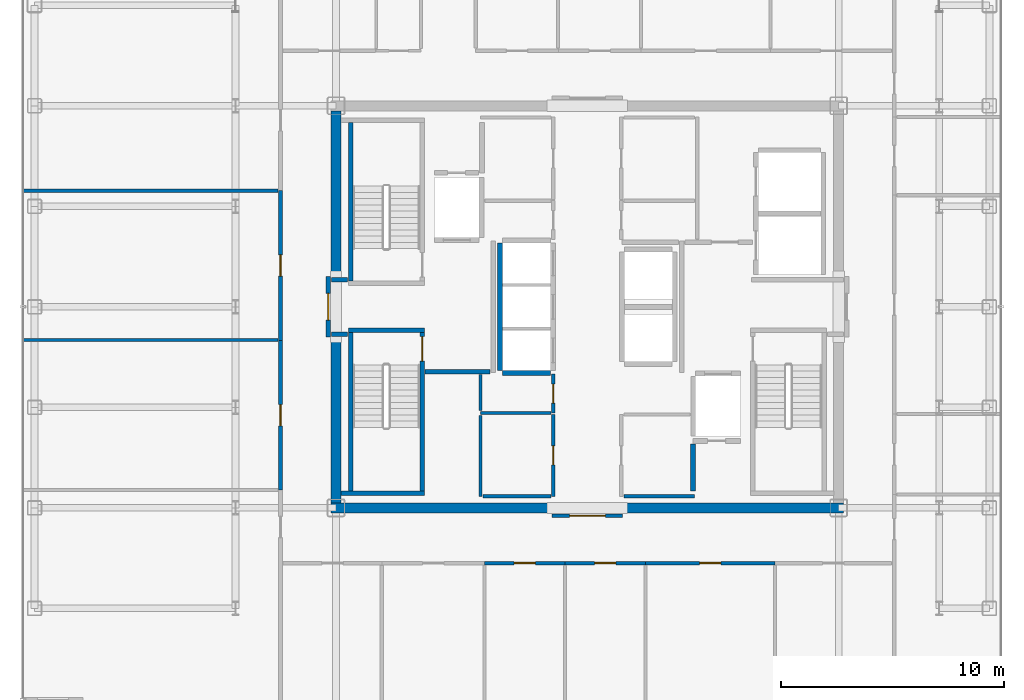
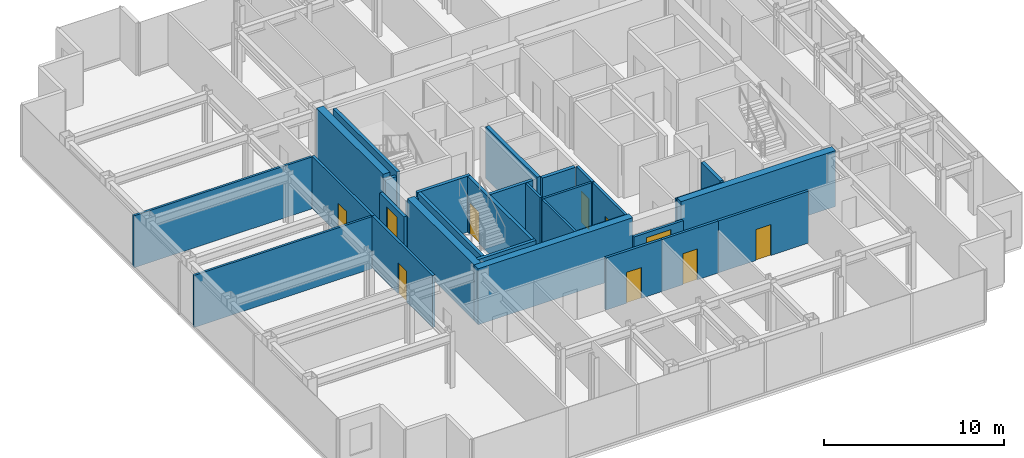
# One storey, part 13 of 18: 31 walls, 10 doors, 10 openings.
"""IFC4 building model written with IfcOpenShell, lengths in metres."""

from ifc_helpers import new_model, si_unit, direction, frame, frame_2d, origin, place, context, subcontext, project, spatial, rectangle, extrude, source, transform, mapped, material, layer, layer_set, type_object, element, fill, save


model = new_model("IFC4")

# Units and contexts
model_context = context("Model", 3, precision=1e-05, world=origin(), true_north=direction((0.0, 1.0)))
body_context = subcontext(model_context, "Body", "Model", "MODEL_VIEW")
ifc_project = project(units=[si_unit("LENGTHUNIT", "METRE"), si_unit("AREAUNIT", "SQUARE_METRE"), si_unit("VOLUMEUNIT", "CUBIC_METRE"), si_unit("PLANEANGLEUNIT", "RADIAN"), si_unit("MASSUNIT", "GRAM", prefix="KILO")], contexts=[model_context])

# Site, building, storey
site_placement = place(None, origin())
site = spatial("IfcSite", under=ifc_project, at=site_placement, CompositionType="ELEMENT")
building_placement = place(site_placement, origin())
building = spatial("IfcBuilding", under=site, at=building_placement, Name="Nefas-Gora Pilgrimage Tower", CompositionType="ELEMENT")
storey_placement = place(building_placement, frame((0.0, 0.0, 268.39990234375)))
storey = spatial("IfcBuildingStorey", under=building, at=storey_placement, Name="L67", CompositionType="ELEMENT", Elevation=268.39990234375)

# Walls
ifc_material_1 = material(Name="Concrete C50/60", Category="concrete")
ifc_layer_1 = layer(ifc_material_1, 0.449951171875)
ifc_layer_set_1 = layer_set([ifc_layer_1], Name="Concrete C50/60")
wall_type_1 = type_object("IfcWallType", Name="SW-CORE-450", PredefinedType="SHEAR", material=ifc_layer_set_1)
shared_shape_1 = source(origin(), body_context, "Body", "SweptSolid", [
    extrude(rectangle(XDim=9.925048828125, YDim=0.449951171875, at=frame_2d((4.96240234375, 0.0))), origin(), (0.0, 0.0, 1.0), 3.800048828125),
])
for number, where, z_axis, x_axis, name in (
    (1, (-11.47509765625, -9.0, 0.0), (0.0, 0.0, 1.0), (1.0, 0.0, 0.0), "L67 Core Shear Wall S-West"),
    (2, (1.550048828125, -9.0, 0.0), (0.0, 0.0, 1.0), (1.0, 0.0, 0.0), "L67 Core Shear Wall S-East"),
):
    element("IfcWall", number, at=place(storey_placement, frame(where, z_axis=z_axis, x_axis=x_axis)), inside=storey, type_object=wall_type_1, Name=name, PredefinedType="SHEAR", context=body_context, shape_type="MappedRepresentation", body=[
        mapped(shared_shape_1, transform((0.0, 0.0, 0.0), x_axis=(1.0, 0.0, 0.0), y_axis=(0.0, 1.0, 0.0), z_axis=(0.0, 0.0, 1.0), scale=1.0)),
    ])
shared_shape_2 = source(origin(), body_context, "Body", "SweptSolid", [
    extrude(rectangle(XDim=7.4248046875, YDim=0.449951171875, at=frame_2d((3.71240234375, 0.0))), origin(), (0.0, 0.0, 1.0), 3.800048828125),
])
for number, where, z_axis, x_axis, name in (
    (3, (-11.25, -8.77490234375, 0.0), (0.0, 0.0, 1.0), (0.0, 1.0, 0.0), "L67 Core Shear Wall W-South"),
    (4, (-11.25, 1.35009765625, 0.0), (0.0, 0.0, 1.0), (0.0, 1.0, 0.0), "L67 Core Shear Wall W-North"),
):
    element("IfcWall", number, at=place(storey_placement, frame(where, z_axis=z_axis, x_axis=x_axis)), inside=storey, type_object=wall_type_1, Name=name, PredefinedType="SHEAR", context=body_context, shape_type="MappedRepresentation", body=[
        mapped(shared_shape_2, transform((0.0, 0.0, 0.0), x_axis=(1.0, 0.0, 0.0), y_axis=(0.0, 1.0, 0.0), z_axis=(0.0, 0.0, 1.0), scale=1.0)),
    ])
ifc_material_2 = material(Name="Concrete C45/55", Category="concrete")
ifc_layer_2 = layer(ifc_material_2, 0.199951171875)
ifc_layer_set_2 = layer_set([ifc_layer_2], Name="Concrete C45/55")
wall_type_2 = type_object("IfcWallType", Name="IW-STAIR-200", PredefinedType="SOLIDWALL", material=ifc_layer_set_2)
shared_shape_3 = source(origin(), body_context, "Body", "SweptSolid", [
    extrude(rectangle(XDim=3.39990234375, YDim=0.199951171875, at=frame_2d((1.699951171875, 0.0))), origin(), (0.0, 0.0, 1.0), 3.800048828125),
])
wall_1_placement = place(storey_placement, frame((-10.699951171875, -1.050048828125, 0.0), z_axis=(0.0, 0.0, 1.0), x_axis=(1.0, 0.0, 0.0)))
element("IfcWall", 5, at=wall_1_placement, inside=storey, type_object=wall_type_2, Name="L67 Stairwell Shear Wall ST-03-near", PredefinedType="SOLIDWALL", context=body_context, shape_type="MappedRepresentation", body=[
    mapped(shared_shape_3, transform((0.0, 0.0, 0.0), x_axis=(1.0, 0.0, 0.0), y_axis=(0.0, 1.0, 0.0), z_axis=(0.0, 0.0, 1.0), scale=1.0)),
])
shared_shape_4 = source(origin(), body_context, "Body", "SweptSolid", [
    extrude(rectangle(XDim=7.10009765625, YDim=0.199951171875, at=frame_2d((3.550048828125, 0.0))), origin(), (0.0, 0.0, 1.0), 3.800048828125),
])
for number, where, z_axis, x_axis, name in (
    (6, (-10.60009765625, 1.14990234375, 0.0), (0.0, 0.0, 1.0), (0.0, 1.0, 0.0), "L67 Stairwell Shear Wall ST-01-right"),
    (7, (-10.60009765625, -1.14990234375, 0.0), (0.0, 0.0, 1.0), (0.0, -1.0, 0.0), "L67 Stairwell Shear Wall ST-03-left"),
):
    element("IfcWall", number, at=place(storey_placement, frame(where, z_axis=z_axis, x_axis=x_axis)), inside=storey, type_object=wall_type_2, Name=name, PredefinedType="SOLIDWALL", context=body_context, shape_type="MappedRepresentation", body=[
        mapped(shared_shape_4, transform((0.0, 0.0, 0.0), x_axis=(1.0, 0.0, 0.0), y_axis=(0.0, 1.0, 0.0), z_axis=(0.0, 0.0, 1.0), scale=1.0)),
    ])

# Wall, opening, door
wall_2_placement = place(storey_placement, frame((-7.39990234375, -1.14990234375, 0.0), z_axis=(0.0, 0.0, 1.0), x_axis=(0.0, -1.0, 0.0)))
wall_2 = element("IfcWall", 8, at=wall_2_placement, inside=storey, type_object=wall_type_2, Name="L67 Stairwell Shear Wall ST-03-right", PredefinedType="SOLIDWALL", context=body_context, shape_type="MappedRepresentation", body=[
    mapped(shared_shape_4, transform((0.0, 0.0, 0.0), x_axis=(1.0, 0.0, 0.0), y_axis=(0.0, 1.0, 0.0), z_axis=(0.0, 0.0, 1.0), scale=1.0)),
])
opening_1_placement = place(wall_2_placement, frame((0.179931640625, 0.0, 0.0)))
opening_1 = element("IfcOpeningElement", 9, at=opening_1_placement, cuts=wall_2, Name="Opening ID-ST1", PredefinedType="OPENING", context=body_context, shape_type="SweptSolid", body=[
    extrude(rectangle(XDim=1.10009765625, YDim=2.14990234375, at=frame_2d((0.550048828125, 1.074951171875))), frame((0.0, 0.10986328125, 0.0), z_axis=(0.0, -1.0, 0.0), x_axis=(1.0, 0.0, 0.0)), (0.0, 0.0, 1.0), 0.219970703125),
])
ifc_material_3 = material(Name="Painted galvanised steel fire stair door", Category="steel")
door_type_1 = type_object("IfcDoorType", Name="DR-INT-STAIR-1100", OperationType="NOTDEFINED", PredefinedType="DOOR", material=ifc_material_3)
shared_shape_5 = source(origin(), body_context, "Body", "SweptSolid", [
    extrude(rectangle(XDim=1.10009765625, YDim=2.14990234375, at=frame_2d((0.550048828125, 1.074951171875))), frame((0.0, 0.02490234375, 0.0), z_axis=(0.0, -1.0, 0.0), x_axis=(1.0, 0.0, 0.0)), (0.0, 0.0, 1.0), 0.050048828125),
])
door_1_placement = place(opening_1_placement, origin())
door_1 = element("IfcDoor", 10, at=door_1_placement, inside=storey, type_object=door_type_1, Name="L67 Protected Exit Stair Door ST-03", OperationType="SINGLE_SWING_LEFT", OverallHeight=2.14990234375, OverallWidth=1.10009765625, PredefinedType="DOOR", context=body_context, shape_type="MappedRepresentation", body=[
    mapped(shared_shape_5, transform((0.0, 0.0, 0.0), x_axis=(1.0, 0.0, 0.0), y_axis=(0.0, 1.0, 0.0), z_axis=(0.0, 0.0, 1.0), scale=1.0)),
])
fill(opening_1, door_1)

# Walls
shared_shape_6 = source(origin(), body_context, "Body", "SweptSolid", [
    extrude(rectangle(XDim=3.72998046875, YDim=0.199951171875, at=frame_2d((1.864990234375, 0.0))), origin(), (0.0, 0.0, 1.0), 3.800048828125),
])
wall_3_placement = place(storey_placement, frame((-11.030029296875, -8.35009765625, 0.0), z_axis=(0.0, 0.0, 1.0), x_axis=(1.0, 0.0, 0.0)))
element("IfcWall", 11, at=wall_3_placement, inside=storey, type_object=wall_type_2, Name="L67 Stairwell Shear Wall ST-03-far", PredefinedType="SOLIDWALL", context=body_context, shape_type="MappedRepresentation", body=[
    mapped(shared_shape_6, transform((0.0, 0.0, 0.0), x_axis=(1.0, 0.0, 0.0), y_axis=(0.0, 1.0, 0.0), z_axis=(0.0, 0.0, 1.0), scale=1.0)),
])
ifc_material_4 = material(Name="Concrete C40/50", Category="concrete")
ifc_layer_3 = layer(ifc_material_4, 0.219970703125)
ifc_layer_set_3 = layer_set([ifc_layer_3], Name="Concrete C40/50")
wall_type_3 = type_object("IfcWallType", Name="IW-SHAFT-220", PredefinedType="SOLIDWALL", material=ifc_layer_set_3)
shared_shape_7 = source(origin(), body_context, "Body", "SweptSolid", [
    extrude(rectangle(XDim=5.7001953125, YDim=0.219970703125, at=frame_2d((2.85009765625, 0.0))), origin(), (0.0, 0.0, 1.0), 3.53515625),
])
wall_4_placement = place(storey_placement, frame((-3.909912109375, 2.85009765625, 0.0), z_axis=(0.0, 0.0, 1.0), x_axis=(0.0, -1.0, 0.0)))
element("IfcWall", 12, at=wall_4_placement, inside=storey, type_object=wall_type_3, Name="L67 Hoistway Wall PL3-01-03-W", PredefinedType="SOLIDWALL", context=body_context, shape_type="MappedRepresentation", body=[
    mapped(shared_shape_7, transform((0.0, 0.0, 0.0), x_axis=(1.0, 0.0, 0.0), y_axis=(0.0, 1.0, 0.0), z_axis=(0.0, 0.0, 1.0), scale=1.0)),
])
shared_shape_8 = source(origin(), body_context, "Body", "SweptSolid", [
    extrude(rectangle(XDim=2.130126953125, YDim=0.219970703125, at=frame_2d((1.06494140625, 0.0))), origin(), (0.0, 0.0, 1.0), 3.53515625),
])
wall_5_placement = place(storey_placement, frame((-3.7900390625, -2.9599609375, 0.0), z_axis=(0.0, 0.0, 1.0), x_axis=(1.0, 0.0, 0.0)))
element("IfcWall", 13, at=wall_5_placement, inside=storey, type_object=wall_type_3, Name="L67 Hoistway Wall PL3-01-S", PredefinedType="SOLIDWALL", context=body_context, shape_type="MappedRepresentation", body=[
    mapped(shared_shape_8, transform((0.0, 0.0, 0.0), x_axis=(1.0, 0.0, 0.0), y_axis=(0.0, 1.0, 0.0), z_axis=(0.0, 0.0, 1.0), scale=1.0)),
])
ifc_material_5 = material(Name="Gypsum fire-rated shaftwall")
ifc_layer_4 = layer(ifc_material_5, 0.199951171875)
ifc_layer_set_4 = layer_set([ifc_layer_4], Name="Gypsum fire-rated shaftwall")
wall_type_4 = type_object("IfcWallType", Name="IW-FFLOB-200", PredefinedType="PARTITIONING", material=ifc_layer_set_4)
shared_shape_9 = source(origin(), body_context, "Body", "SweptSolid", [
    extrude(rectangle(XDim=2.89990234375, YDim=0.199951171875, at=frame_2d((1.449951171875, 0.0))), origin(), (0.0, 0.0, 1.0), 3.53515625),
])
wall_6_placement = place(storey_placement, frame((-7.260009765625, -2.89990234375, 0.0), z_axis=(0.0, 0.0, 1.0), x_axis=(1.0, 0.0, 0.0)))
element("IfcWall", 14, at=wall_6_placement, inside=storey, type_object=wall_type_4, Name="L67 FF Lobby West South Wall Wall 7", PredefinedType="PARTITIONING", context=body_context, shape_type="MappedRepresentation", body=[
    mapped(shared_shape_9, transform((0.0, 0.0, 0.0), x_axis=(1.0, 0.0, 0.0), y_axis=(0.0, 1.0, 0.0), z_axis=(0.0, 0.0, 1.0), scale=1.0)),
])
shared_shape_10 = source(origin(), body_context, "Body", "SweptSolid", [
    extrude(rectangle(XDim=0.719970703125, YDim=0.199951171875, at=frame_2d((0.35986328125, 0.0))), origin(), (0.0, 0.0, 1.0), 3.53515625),
])
for number, where, z_axis, x_axis, name in (
    (15, (-11.4599609375, 1.219970703125, 0.0), (0.0, 0.0, 1.0), (1.0, 0.0, 0.0), "L67 FF Lobby West Throat N Wall 8"),
    (16, (-11.4599609375, -1.219970703125, 0.0), (0.0, 0.0, 1.0), (1.0, 0.0, 0.0), "L67 FF Lobby West Throat S Wall 9"),
):
    element("IfcWall", number, at=place(storey_placement, frame(where, z_axis=z_axis, x_axis=x_axis)), inside=storey, type_object=wall_type_4, Name=name, PredefinedType="PARTITIONING", context=body_context, shape_type="MappedRepresentation", body=[
        mapped(shared_shape_10, transform((0.0, 0.0, 0.0), x_axis=(1.0, 0.0, 0.0), y_axis=(0.0, 1.0, 0.0), z_axis=(0.0, 0.0, 1.0), scale=1.0)),
    ])
ifc_material_6 = material(Name="Gypsum twin-stud partition")
ifc_layer_5 = layer(ifc_material_6, 0.139892578125)
ifc_layer_set_5 = layer_set([ifc_layer_5], Name="Gypsum twin-stud partition")
wall_type_5 = type_object("IfcWallType", Name="IW-UNIT-140", PredefinedType="PARTITIONING", material=ifc_layer_set_5)
shared_shape_11 = source(origin(), body_context, "Body", "SweptSolid", [
    extrude(rectangle(XDim=3.150146484375, YDim=0.139892578125, at=frame_2d((1.5751953125, 0.0))), origin(), (0.0, 0.0, 1.0), 3.53515625),
])
for number, where, z_axis, x_axis, name in (
    (17, (-4.7900390625, -4.75, 0.0), (0.0, 0.0, 1.0), (1.0, 0.0, 0.0), "L67 Guest Self-Service Laundry Room Partition Wall 28"),
    (18, (1.639892578125, -8.47998046875, 0.0), (0.0, 0.0, 1.0), (1.0, 0.0, 0.0), "L67 High-Rise Tableware Store Partition Wall 35"),
):
    element("IfcWall", number, at=place(storey_placement, frame(where, z_axis=z_axis, x_axis=x_axis)), inside=storey, type_object=wall_type_5, Name=name, PredefinedType="PARTITIONING", context=body_context, shape_type="MappedRepresentation", body=[
        mapped(shared_shape_11, transform((0.0, 0.0, 0.0), x_axis=(1.0, 0.0, 0.0), y_axis=(0.0, 1.0, 0.0), z_axis=(0.0, 0.0, 1.0), scale=1.0)),
    ])

# Wall, opening, door
ifc_material_7 = material(Name="Gypsum acoustic stud partition")
ifc_layer_6 = layer(ifc_material_7, 0.159912109375)
ifc_layer_set_6 = layer_set([ifc_layer_6], Name="Gypsum acoustic stud partition")
wall_type_6 = type_object("IfcWallType", Name="IW-CORR-160", PredefinedType="PARTITIONING", material=ifc_layer_set_6)
shared_shape_12 = source(origin(), body_context, "Body", "SweptSolid", [
    extrude(rectangle(XDim=3.60498046875, YDim=0.159912109375, at=frame_2d((1.802490234375, 0.0))), origin(), (0.0, 0.0, 1.0), 3.53515625),
])
wall_7_placement = place(storey_placement, frame((-4.60498046875, -11.469970703125, 0.0), z_axis=(0.0, 0.0, 1.0), x_axis=(1.0, 0.0, 0.0)))
wall_7 = element("IfcWall", 19, at=wall_7_placement, inside=storey, type_object=wall_type_6, Name="L67 Pilgrim Contemplative Lounge Partition Wall 68", PredefinedType="PARTITIONING", context=body_context, shape_type="MappedRepresentation", body=[
    mapped(shared_shape_12, transform((0.0, 0.0, 0.0), x_axis=(1.0, 0.0, 0.0), y_axis=(0.0, 1.0, 0.0), z_axis=(0.0, 0.0, 1.0), scale=1.0)),
])
opening_2_placement = place(wall_7_placement, frame((1.327392578125, 0.0, 0.0)))
opening_2 = element("IfcOpeningElement", 20, at=opening_2_placement, cuts=wall_7, Name="Opening ID-GR1", PredefinedType="OPENING", context=body_context, shape_type="SweptSolid", body=[
    extrude(rectangle(XDim=0.949951171875, YDim=2.10009765625, at=frame_2d((0.47509765625, 1.050048828125))), frame((0.0, 0.08984375, 0.0), z_axis=(0.0, -1.0, 0.0), x_axis=(1.0, 0.0, 0.0)), (0.0, 0.0, 1.0), 0.179931640625),
])
ifc_material_8 = material(Name="Solid core oak fire-rated guest entrance door")
door_type_2 = type_object("IfcDoorType", Name="DR-INT-GUEST-950", OperationType="NOTDEFINED", PredefinedType="DOOR", material=ifc_material_8)
shared_shape_13 = source(origin(), body_context, "Body", "SweptSolid", [
    extrude(rectangle(XDim=0.949951171875, YDim=2.10009765625, at=frame_2d((0.47509765625, 1.050048828125))), frame((0.0, 0.02490234375, 0.0), z_axis=(0.0, -1.0, 0.0), x_axis=(1.0, 0.0, 0.0)), (0.0, 0.0, 1.0), 0.050048828125),
])
door_2_placement = place(opening_2_placement, origin())
door_2 = element("IfcDoor", 21, at=door_2_placement, inside=storey, type_object=door_type_2, Name="L67 Pilgrim Contemplative Lounge Door 32", OperationType="SINGLE_SWING_RIGHT", OverallHeight=2.10009765625, OverallWidth=0.949951171875, PredefinedType="DOOR", context=body_context, shape_type="MappedRepresentation", body=[
    mapped(shared_shape_13, transform((0.0, 0.0, 0.0), x_axis=(1.0, 0.0, 0.0), y_axis=(0.0, 1.0, 0.0), z_axis=(0.0, 0.0, 1.0), scale=1.0)),
])
fill(opening_2, door_2)

wall_8_placement = place(storey_placement, frame((-1.0, -11.469970703125, 0.0), z_axis=(0.0, 0.0, 1.0), x_axis=(1.0, 0.0, 0.0)))
wall_8 = element("IfcWall", 22, at=wall_8_placement, inside=storey, type_object=wall_type_6, Name="L67 Pilgrim Contemplative Lounge Partition Wall 70", PredefinedType="PARTITIONING", context=body_context, shape_type="MappedRepresentation", body=[
    mapped(shared_shape_12, transform((0.0, 0.0, 0.0), x_axis=(1.0, 0.0, 0.0), y_axis=(0.0, 1.0, 0.0), z_axis=(0.0, 0.0, 1.0), scale=1.0)),
])
opening_3_placement = place(wall_8_placement, frame((1.327392578125, 0.0, 0.0)))
opening_3 = element("IfcOpeningElement", 23, at=opening_3_placement, cuts=wall_8, Name="Opening ID-GR1", PredefinedType="OPENING", context=body_context, shape_type="SweptSolid", body=[
    extrude(rectangle(XDim=0.949951171875, YDim=2.10009765625, at=frame_2d((0.47509765625, 1.050048828125))), frame((0.0, 0.08984375, 0.0), z_axis=(0.0, -1.0, 0.0), x_axis=(1.0, 0.0, 0.0)), (0.0, 0.0, 1.0), 0.179931640625),
])
door_3_placement = place(opening_3_placement, origin())
door_3 = element("IfcDoor", 24, at=door_3_placement, inside=storey, type_object=door_type_2, Name="L67 Pilgrim Contemplative Lounge Door 33", OperationType="SINGLE_SWING_LEFT", OverallHeight=2.10009765625, OverallWidth=0.949951171875, PredefinedType="DOOR", context=body_context, shape_type="MappedRepresentation", body=[
    mapped(shared_shape_13, transform((0.0, 0.0, 0.0), x_axis=(1.0, 0.0, 0.0), y_axis=(0.0, 1.0, 0.0), z_axis=(0.0, 0.0, 1.0), scale=1.0)),
])
fill(opening_3, door_3)

shared_shape_14 = source(origin(), body_context, "Body", "SweptSolid", [
    extrude(rectangle(XDim=1.75, YDim=0.159912109375, at=frame_2d((0.875, 0.0))), origin(), (0.0, 0.0, 1.0), 3.53515625),
])
wall_9_placement = place(storey_placement, frame((-1.52001953125, -4.760009765625, 0.0), z_axis=(0.0, 0.0, 1.0), x_axis=(0.0, 1.0, 0.0)))
wall_9 = element("IfcWall", 25, at=wall_9_placement, inside=storey, type_object=wall_type_6, Name="L67 Guest Self-Service Laundry Room Wall 27", PredefinedType="PARTITIONING", context=body_context, shape_type="MappedRepresentation", body=[
    mapped(shared_shape_14, transform((0.0, 0.0, 0.0), x_axis=(1.0, 0.0, 0.0), y_axis=(0.0, 1.0, 0.0), z_axis=(0.0, 0.0, 1.0), scale=1.0)),
])
opening_4_placement = place(wall_9_placement, frame((0.449951171875, 0.0, 0.0)))
opening_4 = element("IfcOpeningElement", 26, at=opening_4_placement, cuts=wall_9, Name="Opening ID-BT1", PredefinedType="OPENING", context=body_context, shape_type="SweptSolid", body=[
    extrude(rectangle(XDim=0.85009765625, YDim=2.10009765625, at=frame_2d((0.425048828125, 1.050048828125))), frame((0.0, 0.08984375, 0.0), z_axis=(0.0, -1.0, 0.0), x_axis=(1.0, 0.0, 0.0)), (0.0, 0.0, 1.0), 0.179931640625),
])
ifc_material_9 = material(Name="Moisture-resistant fire-rated timber door", Category="wood")
door_type_3 = type_object("IfcDoorType", Name="DR-INT-BATH-850", OperationType="NOTDEFINED", PredefinedType="DOOR", material=ifc_material_9)
shared_shape_15 = source(origin(), body_context, "Body", "SweptSolid", [
    extrude(rectangle(XDim=0.85009765625, YDim=2.10009765625, at=frame_2d((0.425048828125, 1.050048828125))), frame((0.0, 0.02490234375, 0.0), z_axis=(0.0, -1.0, 0.0), x_axis=(1.0, 0.0, 0.0)), (0.0, 0.0, 1.0), 0.050048828125),
])
door_4_placement = place(opening_4_placement, origin())
door_4 = element("IfcDoor", 27, at=door_4_placement, inside=storey, type_object=door_type_3, Name="L67 Guest Self-Service Laundry Room Door 12", OperationType="SINGLE_SWING_RIGHT", OverallHeight=2.10009765625, OverallWidth=0.85009765625, PredefinedType="DOOR", context=body_context, shape_type="MappedRepresentation", body=[
    mapped(shared_shape_15, transform((0.0, 0.0, 0.0), x_axis=(1.0, 0.0, 0.0), y_axis=(0.0, 1.0, 0.0), z_axis=(0.0, 0.0, 1.0), scale=1.0)),
])
fill(opening_4, door_4)

shared_shape_16 = source(origin(), body_context, "Body", "SweptSolid", [
    extrude(rectangle(XDim=3.679931640625, YDim=0.159912109375, at=frame_2d((1.83984375, 0.0))), origin(), (0.0, 0.0, 1.0), 3.53515625),
])
wall_10_placement = place(storey_placement, frame((-1.52001953125, -8.489990234375, 0.0), z_axis=(0.0, 0.0, 1.0), x_axis=(0.0, 1.0, 0.0)))
wall_10 = element("IfcWall", 28, at=wall_10_placement, inside=storey, type_object=wall_type_6, Name="L67 High-Rise Linen Store Wall 30", PredefinedType="PARTITIONING", context=body_context, shape_type="MappedRepresentation", body=[
    mapped(shared_shape_16, transform((0.0, 0.0, 0.0), x_axis=(1.0, 0.0, 0.0), y_axis=(0.0, 1.0, 0.0), z_axis=(0.0, 0.0, 1.0), scale=1.0)),
])
opening_5_placement = place(wall_10_placement, frame((1.4150390625, 0.0, 0.0)))
opening_5 = element("IfcOpeningElement", 29, at=opening_5_placement, cuts=wall_10, Name="Opening ID-BT1", PredefinedType="OPENING", context=body_context, shape_type="SweptSolid", body=[
    extrude(rectangle(XDim=0.85009765625, YDim=2.10009765625, at=frame_2d((0.425048828125, 1.050048828125))), frame((0.0, 0.08984375, 0.0), z_axis=(0.0, -1.0, 0.0), x_axis=(1.0, 0.0, 0.0)), (0.0, 0.0, 1.0), 0.179931640625),
])
door_5_placement = place(opening_5_placement, origin())
door_5 = element("IfcDoor", 30, at=door_5_placement, inside=storey, type_object=door_type_3, Name="L67 High-Rise Linen Store Door 13", OperationType="SINGLE_SWING_LEFT", OverallHeight=2.10009765625, OverallWidth=0.85009765625, PredefinedType="DOOR", context=body_context, shape_type="MappedRepresentation", body=[
    mapped(shared_shape_15, transform((0.0, 0.0, 0.0), x_axis=(1.0, 0.0, 0.0), y_axis=(0.0, 1.0, 0.0), z_axis=(0.0, 0.0, 1.0), scale=1.0)),
])
fill(opening_5, door_5)

# Walls
shared_shape_17 = source(origin(), body_context, "Body", "SweptSolid", [
    extrude(rectangle(XDim=11.429931640625, YDim=0.139892578125, at=frame_2d((5.71484375, 0.0))), origin(), (0.0, 0.0, 1.0), 3.53515625),
])
for number, where, z_axis, x_axis, name in (
    (31, (-25.2900390625, 5.195068359375, 0.0), (0.0, 0.0, 1.0), (1.0, 0.0, 0.0), "L67 Pilgrim Fellowship Seminar Room Partition Wall 42"),
    (32, (-25.2900390625, -1.489990234375, 0.0), (0.0, 0.0, 1.0), (1.0, 0.0, 0.0), "L67 Pilgrim Fellowship Seminar Room Partition Wall 43"),
):
    element("IfcWall", number, at=place(storey_placement, frame(where, z_axis=z_axis, x_axis=x_axis)), inside=storey, type_object=wall_type_5, Name=name, PredefinedType="PARTITIONING", context=body_context, shape_type="MappedRepresentation", body=[
        mapped(shared_shape_17, transform((0.0, 0.0, 0.0), x_axis=(1.0, 0.0, 0.0), y_axis=(0.0, 1.0, 0.0), z_axis=(0.0, 0.0, 1.0), scale=1.0)),
    ])

# Wall, opening, door
shared_shape_18 = source(origin(), body_context, "Body", "SweptSolid", [
    extrude(rectangle(XDim=5.81005859375, YDim=0.159912109375, at=frame_2d((2.905029296875, 0.0))), origin(), (0.0, 0.0, 1.0), 3.53515625),
])
wall_11_placement = place(storey_placement, frame((2.594970703125, -11.469970703125, 0.0), z_axis=(0.0, 0.0, 1.0), x_axis=(1.0, 0.0, 0.0)))
wall_11 = element("IfcWall", 33, at=wall_11_placement, inside=storey, type_object=wall_type_6, Name="L67 Pilgrim Contemplative Lounge Partition Wall 72", PredefinedType="PARTITIONING", context=body_context, shape_type="MappedRepresentation", body=[
    mapped(shared_shape_18, transform((0.0, 0.0, 0.0), x_axis=(1.0, 0.0, 0.0), y_axis=(0.0, 1.0, 0.0), z_axis=(0.0, 0.0, 1.0), scale=1.0)),
])
opening_6_placement = place(wall_11_placement, frame((2.429931640625, 0.0, 0.0)))
opening_6 = element("IfcOpeningElement", 34, at=opening_6_placement, cuts=wall_11, Name="Opening ID-GR1", PredefinedType="OPENING", context=body_context, shape_type="SweptSolid", body=[
    extrude(rectangle(XDim=0.949951171875, YDim=2.10009765625, at=frame_2d((0.47509765625, 1.050048828125))), frame((0.0, 0.08984375, 0.0), z_axis=(0.0, -1.0, 0.0), x_axis=(1.0, 0.0, 0.0)), (0.0, 0.0, 1.0), 0.179931640625),
])
door_6_placement = place(opening_6_placement, origin())
door_6 = element("IfcDoor", 35, at=door_6_placement, inside=storey, type_object=door_type_2, Name="L67 Pilgrim Contemplative Lounge Door 34", OperationType="SINGLE_SWING_RIGHT", OverallHeight=2.10009765625, OverallWidth=0.949951171875, PredefinedType="DOOR", context=body_context, shape_type="MappedRepresentation", body=[
    mapped(shared_shape_13, transform((0.0, 0.0, 0.0), x_axis=(1.0, 0.0, 0.0), y_axis=(0.0, 1.0, 0.0), z_axis=(0.0, 0.0, 1.0), scale=1.0)),
])
fill(opening_6, door_6)

shared_shape_19 = source(origin(), body_context, "Body", "SweptSolid", [
    extrude(rectangle(XDim=6.705078125, YDim=0.159912109375, at=frame_2d((3.3525390625, 0.0))), origin(), (0.0, 0.0, 1.0), 3.53515625),
])
wall_12_placement = place(storey_placement, frame((-13.739990234375, -1.5, 0.0), z_axis=(0.0, 0.0, 1.0), x_axis=(0.0, 1.0, 0.0)))
wall_12 = element("IfcWall", 36, at=wall_12_placement, inside=storey, type_object=wall_type_6, Name="L67 Pilgrim Fellowship Seminar Room Partition Wall 41", PredefinedType="PARTITIONING", context=body_context, shape_type="MappedRepresentation", body=[
    mapped(shared_shape_19, transform((0.0, 0.0, 0.0), x_axis=(1.0, 0.0, 0.0), y_axis=(0.0, 1.0, 0.0), z_axis=(0.0, 0.0, 1.0), scale=1.0)),
])
opening_7_placement = place(wall_12_placement, frame((2.87744140625, 0.0, 0.0)))
opening_7 = element("IfcOpeningElement", 37, at=opening_7_placement, cuts=wall_12, Name="Opening ID-GR1", PredefinedType="OPENING", context=body_context, shape_type="SweptSolid", body=[
    extrude(rectangle(XDim=0.949951171875, YDim=2.10009765625, at=frame_2d((0.47509765625, 1.050048828125))), frame((0.0, 0.08984375, 0.0), z_axis=(0.0, -1.0, 0.0), x_axis=(1.0, 0.0, 0.0)), (0.0, 0.0, 1.0), 0.179931640625),
])
door_7_placement = place(opening_7_placement, origin())
door_7 = element("IfcDoor", 38, at=door_7_placement, inside=storey, type_object=door_type_2, Name="L67 Pilgrim Fellowship Seminar Room Door 17", OperationType="SINGLE_SWING_LEFT", OverallHeight=2.10009765625, OverallWidth=0.949951171875, PredefinedType="DOOR", context=body_context, shape_type="MappedRepresentation", body=[
    mapped(shared_shape_13, transform((0.0, 0.0, 0.0), x_axis=(1.0, 0.0, 0.0), y_axis=(0.0, 1.0, 0.0), z_axis=(0.0, 0.0, 1.0), scale=1.0)),
])
fill(opening_7, door_7)

wall_13_placement = place(storey_placement, frame((-13.739990234375, -8.205078125, 0.0), z_axis=(0.0, 0.0, 1.0), x_axis=(0.0, 1.0, 0.0)))
wall_13 = element("IfcWall", 39, at=wall_13_placement, inside=storey, type_object=wall_type_6, Name="L67 Pilgrim Contemplative Lounge Partition Wall 44", PredefinedType="PARTITIONING", context=body_context, shape_type="MappedRepresentation", body=[
    mapped(shared_shape_19, transform((0.0, 0.0, 0.0), x_axis=(1.0, 0.0, 0.0), y_axis=(0.0, 1.0, 0.0), z_axis=(0.0, 0.0, 1.0), scale=1.0)),
])
opening_8_placement = place(wall_13_placement, frame((2.87744140625, 0.0, 0.0)))
opening_8 = element("IfcOpeningElement", 40, at=opening_8_placement, cuts=wall_13, Name="Opening ID-GR1", PredefinedType="OPENING", context=body_context, shape_type="SweptSolid", body=[
    extrude(rectangle(XDim=0.949951171875, YDim=2.10009765625, at=frame_2d((0.47509765625, 1.050048828125))), frame((0.0, 0.08984375, 0.0), z_axis=(0.0, -1.0, 0.0), x_axis=(1.0, 0.0, 0.0)), (0.0, 0.0, 1.0), 0.179931640625),
])
door_8_placement = place(opening_8_placement, origin())
door_8 = element("IfcDoor", 41, at=door_8_placement, inside=storey, type_object=door_type_2, Name="L67 Pilgrim Contemplative Lounge Door 18", OperationType="SINGLE_SWING_RIGHT", OverallHeight=2.10009765625, OverallWidth=0.949951171875, PredefinedType="DOOR", context=body_context, shape_type="MappedRepresentation", body=[
    mapped(shared_shape_13, transform((0.0, 0.0, 0.0), x_axis=(1.0, 0.0, 0.0), y_axis=(0.0, 1.0, 0.0), z_axis=(0.0, 0.0, 1.0), scale=1.0)),
])
fill(opening_8, door_8)

shared_shape_20 = source(origin(), body_context, "Body", "SweptSolid", [
    extrude(rectangle(XDim=2.7001953125, YDim=0.199951171875, at=frame_2d((1.35009765625, 0.0))), origin(), (0.0, 0.0, 1.0), 2.625),
])
wall_14_placement = place(storey_placement, frame((-11.60009765625, -1.35009765625, 0.0), z_axis=(0.0, 0.0, 1.0), x_axis=(0.0, 1.0, 0.0)))
wall_14 = element("IfcWall", 42, at=wall_14_placement, inside=storey, type_object=wall_type_4, Name="L67 FF Lobby West Portal Wall 5", PredefinedType="PARTITIONING", context=body_context, shape_type="MappedRepresentation", body=[
    mapped(shared_shape_20, transform((0.0, 0.0, 0.0), x_axis=(1.0, 0.0, 0.0), y_axis=(0.0, 1.0, 0.0), z_axis=(0.0, 0.0, 1.0), scale=1.0)),
])
opening_9_placement = place(wall_14_placement, frame((0.75, 0.0, 0.0)))
opening_9 = element("IfcOpeningElement", 43, at=opening_9_placement, cuts=wall_14, Name="Opening ID-FF1", PredefinedType="OPENING", context=body_context, shape_type="SweptSolid", body=[
    extrude(rectangle(XDim=1.199951171875, YDim=2.14990234375, at=frame_2d((0.60009765625, 1.074951171875))), frame((0.0, 0.10986328125, 0.0), z_axis=(0.0, -1.0, 0.0), x_axis=(1.0, 0.0, 0.0)), (0.0, 0.0, 1.0), 0.219970703125),
])
ifc_material_10 = material(Name="Smoke-sealed steel firefighting lobby door", Category="steel")
door_type_4 = type_object("IfcDoorType", Name="DR-INT-FFLOB-1200", OperationType="NOTDEFINED", PredefinedType="DOOR", material=ifc_material_10)
shared_shape_21 = source(origin(), body_context, "Body", "SweptSolid", [
    extrude(rectangle(XDim=1.199951171875, YDim=2.14990234375, at=frame_2d((0.60009765625, 1.074951171875))), frame((0.0, 0.02490234375, 0.0), z_axis=(0.0, -1.0, 0.0), x_axis=(1.0, 0.0, 0.0)), (0.0, 0.0, 1.0), 0.050048828125),
])
door_9_placement = place(opening_9_placement, origin())
door_9 = element("IfcDoor", 44, at=door_9_placement, inside=storey, type_object=door_type_4, Name="L67 FF Lobby West Portal Door 3", OperationType="SINGLE_SWING_LEFT", OverallHeight=2.14990234375, OverallWidth=1.199951171875, PredefinedType="DOOR", context=body_context, shape_type="MappedRepresentation", body=[
    mapped(shared_shape_21, transform((0.0, 0.0, 0.0), x_axis=(1.0, 0.0, 0.0), y_axis=(0.0, 1.0, 0.0), z_axis=(0.0, 0.0, 1.0), scale=1.0)),
])
fill(opening_9, door_9)

shared_shape_22 = source(origin(), body_context, "Body", "SweptSolid", [
    extrude(rectangle(XDim=3.16015625, YDim=0.159912109375, at=frame_2d((1.580078125, 0.0))), origin(), (0.0, 0.0, 1.0), 2.625),
])
wall_15_placement = place(storey_placement, frame((-1.580078125, -9.35009765625, 0.0), z_axis=(0.0, 0.0, 1.0), x_axis=(1.0, 0.0, 0.0)))
wall_15 = element("IfcWall", 45, at=wall_15_placement, inside=storey, type_object=wall_type_6, Name="L67 Central Lift Lobby South Portal Wall 17", PredefinedType="PARTITIONING", context=body_context, shape_type="MappedRepresentation", body=[
    mapped(shared_shape_22, transform((0.0, 0.0, 0.0), x_axis=(1.0, 0.0, 0.0), y_axis=(0.0, 1.0, 0.0), z_axis=(0.0, 0.0, 1.0), scale=1.0)),
])
opening_10_placement = place(wall_15_placement, frame((0.780029296875, 0.0, 0.0)))
opening_10 = element("IfcOpeningElement", 46, at=opening_10_placement, cuts=wall_15, Name="Opening ID-HL1", PredefinedType="OPENING", context=body_context, shape_type="SweptSolid", body=[
    extrude(rectangle(XDim=1.60009765625, YDim=2.300048828125, at=frame_2d((0.800048828125, 1.14990234375))), frame((0.0, 0.08984375, 0.0), z_axis=(0.0, -1.0, 0.0), x_axis=(1.0, 0.0, 0.0)), (0.0, 0.0, 1.0), 0.179931640625),
])
ifc_material_11 = material(Name="Double acoustic timber assembly hall door", Category="wood")
door_type_5 = type_object("IfcDoorType", Name="DR-INT-HALL-1600", OperationType="DOUBLE_DOOR_SINGLE_SWING", PredefinedType="DOOR", material=ifc_material_11)
shared_shape_23 = source(origin(), body_context, "Body", "SweptSolid", [
    extrude(rectangle(XDim=1.60009765625, YDim=2.300048828125, at=frame_2d((0.800048828125, 1.14990234375))), frame((0.0, 0.02490234375, 0.0), z_axis=(0.0, -1.0, 0.0), x_axis=(1.0, 0.0, 0.0)), (0.0, 0.0, 1.0), 0.050048828125),
])
door_10_placement = place(opening_10_placement, origin())
door_10 = element("IfcDoor", 47, at=door_10_placement, inside=storey, type_object=door_type_5, Name="L67 Central Lift Lobby South Portal Door 7", OperationType="DOUBLE_DOOR_SINGLE_SWING", OverallHeight=2.300048828125, OverallWidth=1.60009765625, PredefinedType="DOOR", context=body_context, shape_type="MappedRepresentation", body=[
    mapped(shared_shape_23, transform((0.0, 0.0, 0.0), x_axis=(1.0, 0.0, 0.0), y_axis=(0.0, 1.0, 0.0), z_axis=(0.0, 0.0, 1.0), scale=1.0)),
])
fill(opening_10, door_10)

# Walls
shared_shape_24 = source(origin(), body_context, "Body", "SweptSolid", [
    extrude(rectangle(XDim=2.10009765625, YDim=0.219970703125, at=frame_2d((1.050048828125, 0.0))), origin(), (0.0, 0.0, 1.0), 3.53515625),
])
wall_16_placement = place(storey_placement, frame((4.719970703125, -8.25, 0.0), z_axis=(0.0, 0.0, 1.0), x_axis=(0.0, 1.0, 0.0)))
element("IfcWall", 48, at=wall_16_placement, inside=storey, type_object=wall_type_3, Name="L67 Riser Shaft Wall 4", PredefinedType="SOLIDWALL", context=body_context, shape_type="MappedRepresentation", body=[
    mapped(shared_shape_24, transform((0.0, 0.0, 0.0), x_axis=(1.0, 0.0, 0.0), y_axis=(0.0, 1.0, 0.0), z_axis=(0.0, 0.0, 1.0), scale=1.0)),
])
shared_shape_25 = source(origin(), body_context, "Body", "SweptSolid", [
    extrude(rectangle(XDim=1.599853515625, YDim=0.139892578125, at=frame_2d((0.7998046875, 0.0))), origin(), (0.0, 0.0, 1.0), 3.53515625),
])
wall_17_placement = place(storey_placement, frame((-4.780029296875, -4.639892578125, 0.0), z_axis=(0.0, 0.0, 1.0), x_axis=(0.0, 1.0, 0.0)))
element("IfcWall", 49, at=wall_17_placement, inside=storey, type_object=wall_type_5, Name="L67 Guest Self-Service Laundry Room Partition Wall 29", PredefinedType="PARTITIONING", context=body_context, shape_type="MappedRepresentation", body=[
    mapped(shared_shape_25, transform((0.0, 0.0, 0.0), x_axis=(1.0, 0.0, 0.0), y_axis=(0.0, 1.0, 0.0), z_axis=(0.0, 0.0, 1.0), scale=1.0)),
])
shared_shape_26 = source(origin(), body_context, "Body", "SweptSolid", [
    extrude(rectangle(XDim=3.6298828125, YDim=0.139892578125, at=frame_2d((1.81494140625, 0.0))), origin(), (0.0, 0.0, 1.0), 3.53515625),
])
wall_18_placement = place(storey_placement, frame((-4.780029296875, -8.489990234375, 0.0), z_axis=(0.0, 0.0, 1.0), x_axis=(0.0, 1.0, 0.0)))
element("IfcWall", 50, at=wall_18_placement, inside=storey, type_object=wall_type_5, Name="L67 High-Rise Linen Store Partition Wall 31", PredefinedType="PARTITIONING", context=body_context, shape_type="MappedRepresentation", body=[
    mapped(shared_shape_26, transform((0.0, 0.0, 0.0), x_axis=(1.0, 0.0, 0.0), y_axis=(0.0, 1.0, 0.0), z_axis=(0.0, 0.0, 1.0), scale=1.0)),
])
shared_shape_27 = source(origin(), body_context, "Body", "SweptSolid", [
    extrude(rectangle(XDim=3.030029296875, YDim=0.139892578125, at=frame_2d((1.51513671875, 0.0))), origin(), (0.0, 0.0, 1.0), 3.53515625),
])
wall_19_placement = place(storey_placement, frame((-4.669921875, -8.47998046875, 0.0), z_axis=(0.0, 0.0, 1.0), x_axis=(1.0, 0.0, 0.0)))
element("IfcWall", 51, at=wall_19_placement, inside=storey, type_object=wall_type_5, Name="L67 High-Rise Linen Store Partition Wall 32", PredefinedType="PARTITIONING", context=body_context, shape_type="MappedRepresentation", body=[
    mapped(shared_shape_27, transform((0.0, 0.0, 0.0), x_axis=(1.0, 0.0, 0.0), y_axis=(0.0, 1.0, 0.0), z_axis=(0.0, 0.0, 1.0), scale=1.0)),
])

save(model, "model.ifc")
